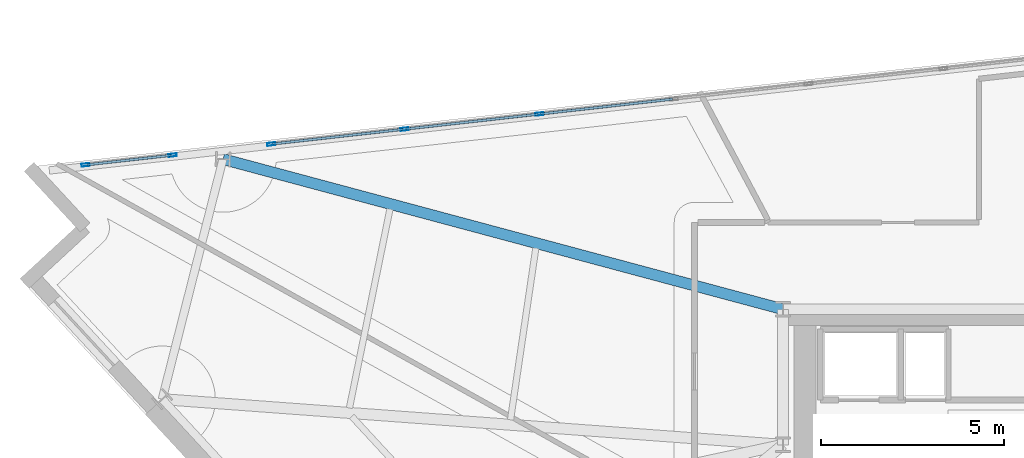
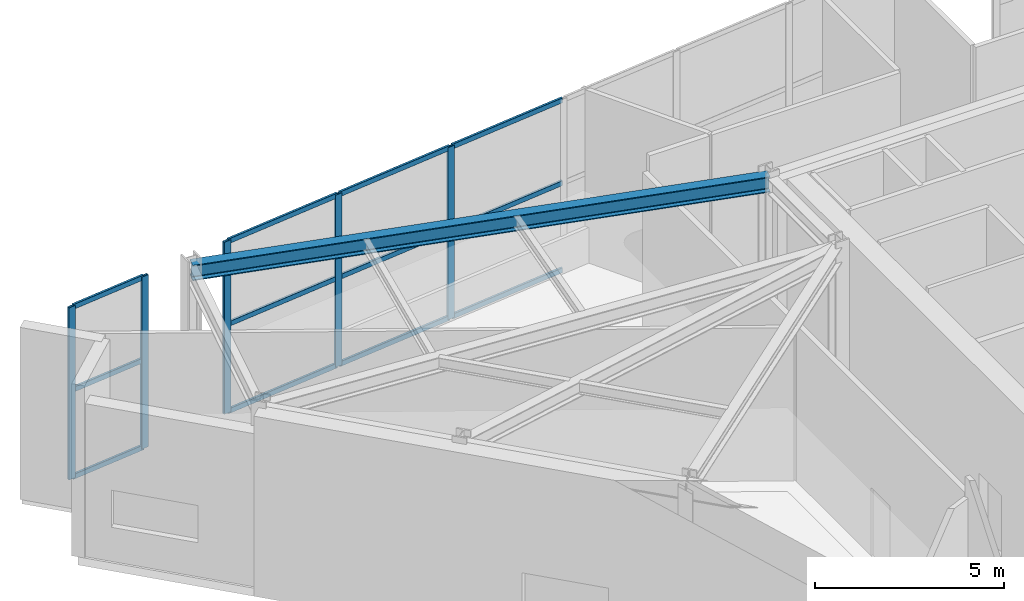
# One storey, part 2 of 15: 17 members, 1 beam, 2 elements without a shape of their own.
"""IFC4 building model written with IfcOpenShell, lengths in metres."""

from ifc_helpers import new_model, si_unit, direction, frame, origin, origin_2d, place, context, subcontext, project, spatial, hollow_rectangle, i_section, extrude, material, material_profile, profile_set, type_object, element, aggregate, save


model = new_model("IFC4")

# Units and contexts
model_context = context("Model", 3, precision=1e-05, world=origin(), true_north=direction((0.0, 1.0)))
body_context = subcontext(model_context, "Body", "Model", "MODEL_VIEW")
ifc_project = project(units=[si_unit("LENGTHUNIT", "METRE"), si_unit("AREAUNIT", "SQUARE_METRE"), si_unit("VOLUMEUNIT", "CUBIC_METRE"), si_unit("PLANEANGLEUNIT", "RADIAN"), si_unit("MASSUNIT", "GRAM", prefix="KILO")], contexts=[model_context])

# Site, building, storey
site_placement = place(None, origin())
site = spatial("IfcSite", under=ifc_project, at=site_placement, CompositionType="ELEMENT")
building_placement = place(site_placement, origin())
building = spatial("IfcBuilding", under=site, at=building_placement, Name="Narakoshi Arena Tower", CompositionType="ELEMENT")
storey_placement = place(building_placement, frame((0.0, 0.0, 292.419921875)))
storey = spatial("IfcBuildingStorey", under=building, at=storey_placement, Name="L80", CompositionType="ELEMENT", Elevation=292.419921875)

# Beam
ifc_material_1 = material(Name="Structural steel S355J2", Category="steel")
ifc_material_profile_1 = material_profile(ifc_material_1, i_section(OverallWidth=0.300048828125, OverallDepth=0.5, WebThickness=0.014404296875, FlangeThickness=0.028076171875, FilletRadius=0.027099609375, at=origin_2d()), Name="HE500B")
ifc_profile_set_1 = profile_set([ifc_material_profile_1], Name="Structural steel S355J2")
beam_type = type_object("IfcBeamType", Name="BM-PRI-500", PredefinedType="BEAM", material=ifc_profile_set_1)
beam_placement = place(storey_placement, frame((72.0, 56.5, 5.31005859375), z_axis=(-0.965877018817, 0.259001128418, 0.0), x_axis=(-0.259001128418, -0.965877018817, 0.0)))
element("IfcBeam", 1, at=beam_placement, inside=storey, type_object=beam_type, Name="L80 Radial Primary Floor Girder 08", PredefinedType="BEAM", context=body_context, shape_type="SweptSolid", body=[
    extrude(i_section(OverallWidth=0.300048828125, OverallDepth=0.5, WebThickness=0.014404296875, FlangeThickness=0.028076171875, FilletRadius=0.027099609375, at=origin_2d()), origin(), (0.0, 0.0, 1.0), 15.822998046875),
])

# Curtain wall, members
ifc_material_2 = material(Name="Clear low-iron laminated structural glass", Category="glass")
curtain_wall_type = type_object("IfcCurtainWallType", Name="CW-OBS-TMD", PredefinedType="NOTDEFINED", material=ifc_material_2)
curtain_wall_1_placement = place(storey_placement, origin())
curtain_wall_1 = element("IfcCurtainWall", 2, at=curtain_wall_1_placement, inside=storey, type_object=curtain_wall_type, Name="L80 Folded Hypotenuse Curtain Wall 2-1", PredefinedType="NOTDEFINED")
ifc_material_3 = material(Name="Anodised bronze aluminium 6063-T6", Category="aluminium")
ifc_material_profile_2 = material_profile(ifc_material_3, hollow_rectangle(XDim=0.080078125, YDim=0.219970703125, WallThickness=0.0048828125, OuterFilletRadius=0.006103515625, at=origin_2d()), Name="MUL220x80x5")
ifc_profile_set_2 = profile_set([ifc_material_profile_2], Name="Anodised bronze aluminium 6063-T6")
member_type_1 = type_object("IfcMemberType", Name="MEM-MUL-220", PredefinedType="MULLION", material=ifc_profile_set_2)
member_1_placement = place(storey_placement, frame((65.35009765625, 61.827392578125, 0.0), z_axis=(0.0, 0.0, 1.0), x_axis=(0.111396800294, -0.9937760074, 0.0)))
member_1 = element("IfcMember", 3, at=member_1_placement, type_object=member_type_1, Name="CW-05 mullion 5", PredefinedType="MULLION", context=body_context, shape_type="SweptSolid", body=[
    extrude(hollow_rectangle(XDim=0.080078125, YDim=0.219970703125, WallThickness=0.0048828125, OuterFilletRadius=0.006103515625, at=origin_2d()), origin(), (0.0, 0.0, 1.0), 5.56005859375),
])
member_2_placement = place(storey_placement, frame((61.67236328125, 61.415283203125, 0.0), z_axis=(0.0, 0.0, 1.0), x_axis=(0.111396800294, -0.9937760074, 0.0)))
member_2 = element("IfcMember", 4, at=member_2_placement, type_object=member_type_1, Name="CW-05 mullion 6", PredefinedType="MULLION", context=body_context, shape_type="SweptSolid", body=[
    extrude(hollow_rectangle(XDim=0.080078125, YDim=0.219970703125, WallThickness=0.0048828125, OuterFilletRadius=0.006103515625, at=origin_2d()), origin(), (0.0, 0.0, 1.0), 5.56005859375),
])
member_3_placement = place(storey_placement, frame((58.0341796875, 61.00732421875, 0.0), z_axis=(0.0, 0.0, 1.0), x_axis=(0.111396800294, -0.9937760074, 0.0)))
member_3 = element("IfcMember", 5, at=member_3_placement, type_object=member_type_1, Name="CW-05 mullion 7", PredefinedType="MULLION", context=body_context, shape_type="SweptSolid", body=[
    extrude(hollow_rectangle(XDim=0.080078125, YDim=0.219970703125, WallThickness=0.0048828125, OuterFilletRadius=0.006103515625, at=origin_2d()), origin(), (0.0, 0.0, 1.0), 5.56005859375),
])

curtain_wall_2_placement = place(storey_placement, origin())
curtain_wall_2 = element("IfcCurtainWall", 6, at=curtain_wall_2_placement, inside=storey, type_object=curtain_wall_type, Name="L80 Folded Hypotenuse Curtain Wall 2-2", PredefinedType="NOTDEFINED")
member_4_placement = place(storey_placement, frame((55.34228515625, 60.70556640625, 0.0), z_axis=(0.0, 0.0, 1.0), x_axis=(0.111417951878, -0.993773636197, 0.0)))
member_4 = element("IfcMember", 7, at=member_4_placement, type_object=member_type_1, Name="CW-05 mullion 1", PredefinedType="MULLION", context=body_context, shape_type="SweptSolid", body=[
    extrude(hollow_rectangle(XDim=0.080078125, YDim=0.219970703125, WallThickness=0.0048828125, OuterFilletRadius=0.006103515625, at=origin_2d()), origin(), (0.0, 0.0, 1.0), 5.56005859375),
])
member_5_placement = place(storey_placement, frame((52.967041015625, 60.439453125, 0.0), z_axis=(0.0, 0.0, 1.0), x_axis=(0.111417951878, -0.993773636197, 0.0)))
member_5 = element("IfcMember", 8, at=member_5_placement, type_object=member_type_1, Name="CW-05 mullion 2", PredefinedType="MULLION", context=body_context, shape_type="SweptSolid", body=[
    extrude(hollow_rectangle(XDim=0.080078125, YDim=0.219970703125, WallThickness=0.0048828125, OuterFilletRadius=0.006103515625, at=origin_2d()), origin(), (0.0, 0.0, 1.0), 5.56005859375),
])

# Member
ifc_material_profile_3 = material_profile(ifc_material_3, hollow_rectangle(XDim=0.070068359375, YDim=0.159912109375, WallThickness=0.00390625, OuterFilletRadius=0.0048828125, at=origin_2d()), Name="TRN160x70x4")
ifc_profile_set_3 = profile_set([ifc_material_profile_3], Name="Anodised bronze aluminium 6063-T6")
member_type_2 = type_object("IfcMemberType", Name="MEM-TRN-160", PredefinedType="USERDEFINED", material=ifc_profile_set_3)
member_6_placement = place(storey_placement, frame((68.98828125, 62.2353515625, 0.03515625), z_axis=(-0.993769739501, -0.111452702313, 0.0), x_axis=(0.111452702313, -0.993769739501, 0.0)))
member_6 = element("IfcMember", 9, at=member_6_placement, type_object=member_type_2, Name="CW-05 transom 4.1", ObjectType="TRANSOM", PredefinedType="USERDEFINED", context=body_context, shape_type="SweptSolid", body=[
    extrude(hollow_rectangle(XDim=0.070068359375, YDim=0.159912109375, WallThickness=0.00390625, OuterFilletRadius=0.0048828125, at=origin_2d()), origin(), (0.0, 0.0, 1.0), 3.620849609375),
])

member_7_placement = place(storey_placement, frame((68.98828125, 62.2353515625, 2.85009765625), z_axis=(-0.993769739501, -0.111452702313, 0.0), x_axis=(0.111452702313, -0.993769739501, 0.0)))
member_7 = element("IfcMember", 10, at=member_7_placement, type_object=member_type_2, Name="CW-05 transom 4.2", ObjectType="TRANSOM", PredefinedType="USERDEFINED", context=body_context, shape_type="SweptSolid", body=[
    extrude(hollow_rectangle(XDim=0.070068359375, YDim=0.159912109375, WallThickness=0.00390625, OuterFilletRadius=0.0048828125, at=origin_2d()), origin(), (0.0, 0.0, 1.0), 3.620849609375),
])

member_8_placement = place(storey_placement, frame((68.98828125, 62.2353515625, 5.525146484375), z_axis=(-0.993769739501, -0.111452702313, 0.0), x_axis=(0.111452702313, -0.993769739501, 0.0)))
member_8 = element("IfcMember", 11, at=member_8_placement, type_object=member_type_2, Name="CW-05 transom 4.3", ObjectType="TRANSOM", PredefinedType="USERDEFINED", context=body_context, shape_type="SweptSolid", body=[
    extrude(hollow_rectangle(XDim=0.070068359375, YDim=0.159912109375, WallThickness=0.00390625, OuterFilletRadius=0.0048828125, at=origin_2d()), origin(), (0.0, 0.0, 1.0), 3.620849609375),
])

member_9_placement = place(storey_placement, frame((65.310302734375, 61.822998046875, 0.03515625), z_axis=(-0.993777205151, -0.111386114588, 0.0), x_axis=(0.111386114588, -0.993777205151, 0.0)))
member_9 = element("IfcMember", 12, at=member_9_placement, type_object=member_type_2, Name="CW-05 transom 5.1", ObjectType="TRANSOM", PredefinedType="USERDEFINED", context=body_context, shape_type="SweptSolid", body=[
    extrude(hollow_rectangle(XDim=0.070068359375, YDim=0.159912109375, WallThickness=0.00390625, OuterFilletRadius=0.0048828125, at=origin_2d()), origin(), (0.0, 0.0, 1.0), 3.620849609375),
])

member_10_placement = place(storey_placement, frame((65.310302734375, 61.822998046875, 2.85009765625), z_axis=(-0.993777205151, -0.111386114588, 0.0), x_axis=(0.111386114588, -0.993777205151, 0.0)))
member_10 = element("IfcMember", 13, at=member_10_placement, type_object=member_type_2, Name="CW-05 transom 5.2", ObjectType="TRANSOM", PredefinedType="USERDEFINED", context=body_context, shape_type="SweptSolid", body=[
    extrude(hollow_rectangle(XDim=0.070068359375, YDim=0.159912109375, WallThickness=0.00390625, OuterFilletRadius=0.0048828125, at=origin_2d()), origin(), (0.0, 0.0, 1.0), 3.620849609375),
])

member_11_placement = place(storey_placement, frame((65.310302734375, 61.822998046875, 5.525146484375), z_axis=(-0.993777205151, -0.111386114588, 0.0), x_axis=(0.111386114588, -0.993777205151, 0.0)))
member_11 = element("IfcMember", 14, at=member_11_placement, type_object=member_type_2, Name="CW-05 transom 5.3", ObjectType="TRANSOM", PredefinedType="USERDEFINED", context=body_context, shape_type="SweptSolid", body=[
    extrude(hollow_rectangle(XDim=0.070068359375, YDim=0.159912109375, WallThickness=0.00390625, OuterFilletRadius=0.0048828125, at=origin_2d()), origin(), (0.0, 0.0, 1.0), 3.620849609375),
])

member_12_placement = place(storey_placement, frame((61.632568359375, 61.41064453125, 0.03515625), z_axis=(-0.993775170147, -0.111404269211, 0.0), x_axis=(0.111404269211, -0.993775170147, 0.0)))
member_12 = element("IfcMember", 15, at=member_12_placement, type_object=member_type_2, Name="CW-05 transom 6.1", ObjectType="TRANSOM", PredefinedType="USERDEFINED", context=body_context, shape_type="SweptSolid", body=[
    extrude(hollow_rectangle(XDim=0.070068359375, YDim=0.159912109375, WallThickness=0.00390625, OuterFilletRadius=0.0048828125, at=origin_2d()), origin(), (0.0, 0.0, 1.0), 3.580810546875),
])

member_13_placement = place(storey_placement, frame((61.632568359375, 61.41064453125, 2.85009765625), z_axis=(-0.993775170147, -0.111404269211, 0.0), x_axis=(0.111404269211, -0.993775170147, 0.0)))
member_13 = element("IfcMember", 16, at=member_13_placement, type_object=member_type_2, Name="CW-05 transom 6.2", ObjectType="TRANSOM", PredefinedType="USERDEFINED", context=body_context, shape_type="SweptSolid", body=[
    extrude(hollow_rectangle(XDim=0.070068359375, YDim=0.159912109375, WallThickness=0.00390625, OuterFilletRadius=0.0048828125, at=origin_2d()), origin(), (0.0, 0.0, 1.0), 3.580810546875),
])

member_14_placement = place(storey_placement, frame((61.632568359375, 61.41064453125, 5.525146484375), z_axis=(-0.993775170147, -0.111404269211, 0.0), x_axis=(0.111404269211, -0.993775170147, 0.0)))
member_14 = element("IfcMember", 17, at=member_14_placement, type_object=member_type_2, Name="CW-05 transom 6.3", ObjectType="TRANSOM", PredefinedType="USERDEFINED", context=body_context, shape_type="SweptSolid", body=[
    extrude(hollow_rectangle(XDim=0.070068359375, YDim=0.159912109375, WallThickness=0.00390625, OuterFilletRadius=0.0048828125, at=origin_2d()), origin(), (0.0, 0.0, 1.0), 3.580810546875),
])

aggregate(curtain_wall_1, [member_1, member_2, member_3, member_6, member_7, member_8, member_9, member_10, member_11, member_12, member_13, member_14])

member_15_placement = place(storey_placement, frame((55.302490234375, 60.701171875, 0.03515625), z_axis=(-0.993776292325, -0.11139425844, 0.0), x_axis=(0.11139425844, -0.993776292325, 0.0)))
member_15 = element("IfcMember", 18, at=member_15_placement, type_object=member_type_2, Name="CW-05 transom 1.1", ObjectType="TRANSOM", PredefinedType="USERDEFINED", context=body_context, shape_type="SweptSolid", body=[
    extrude(hollow_rectangle(XDim=0.070068359375, YDim=0.159912109375, WallThickness=0.00390625, OuterFilletRadius=0.0048828125, at=origin_2d()), origin(), (0.0, 0.0, 1.0), 2.31005859375),
])

member_16_placement = place(storey_placement, frame((55.302490234375, 60.701171875, 2.85009765625), z_axis=(-0.993776292325, -0.11139425844, 0.0), x_axis=(0.11139425844, -0.993776292325, 0.0)))
member_16 = element("IfcMember", 19, at=member_16_placement, type_object=member_type_2, Name="CW-05 transom 1.2", ObjectType="TRANSOM", PredefinedType="USERDEFINED", context=body_context, shape_type="SweptSolid", body=[
    extrude(hollow_rectangle(XDim=0.070068359375, YDim=0.159912109375, WallThickness=0.00390625, OuterFilletRadius=0.0048828125, at=origin_2d()), origin(), (0.0, 0.0, 1.0), 2.31005859375),
])

member_17_placement = place(storey_placement, frame((55.302490234375, 60.701171875, 5.525146484375), z_axis=(-0.993776292325, -0.11139425844, 0.0), x_axis=(0.11139425844, -0.993776292325, 0.0)))
member_17 = element("IfcMember", 20, at=member_17_placement, type_object=member_type_2, Name="CW-05 transom 1.3", ObjectType="TRANSOM", PredefinedType="USERDEFINED", context=body_context, shape_type="SweptSolid", body=[
    extrude(hollow_rectangle(XDim=0.070068359375, YDim=0.159912109375, WallThickness=0.00390625, OuterFilletRadius=0.0048828125, at=origin_2d()), origin(), (0.0, 0.0, 1.0), 2.31005859375),
])

aggregate(curtain_wall_2, [member_4, member_5, member_15, member_16, member_17])

save(model, "model.ifc")
